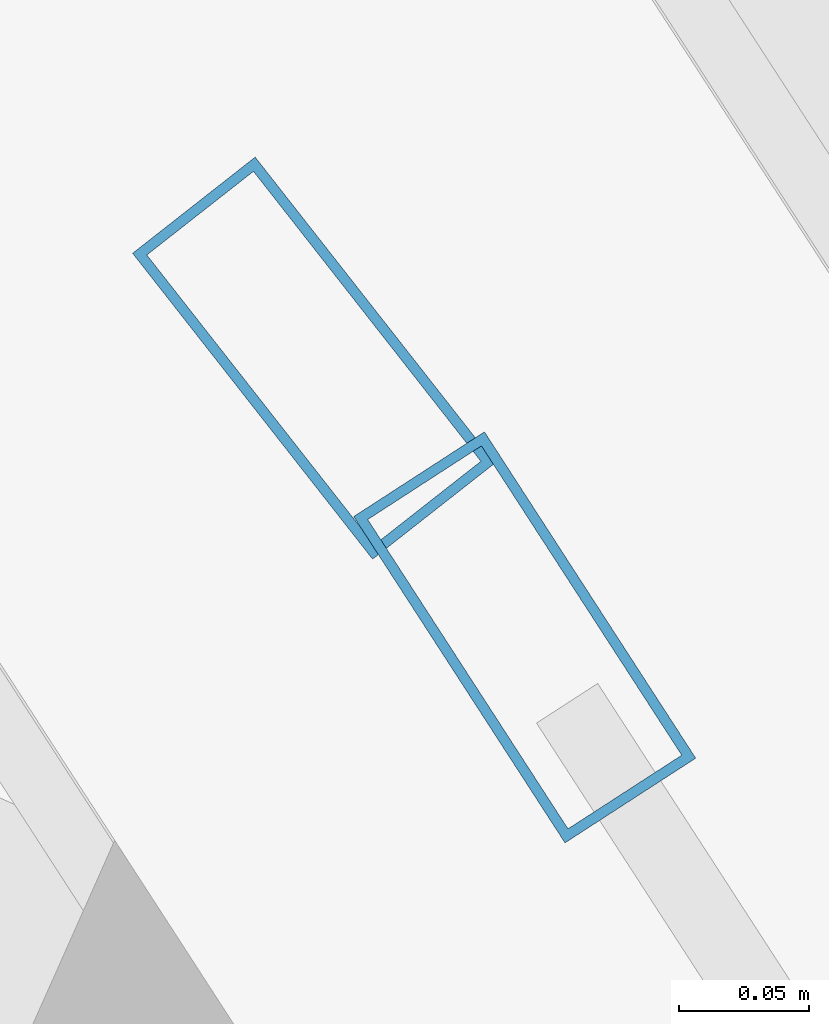
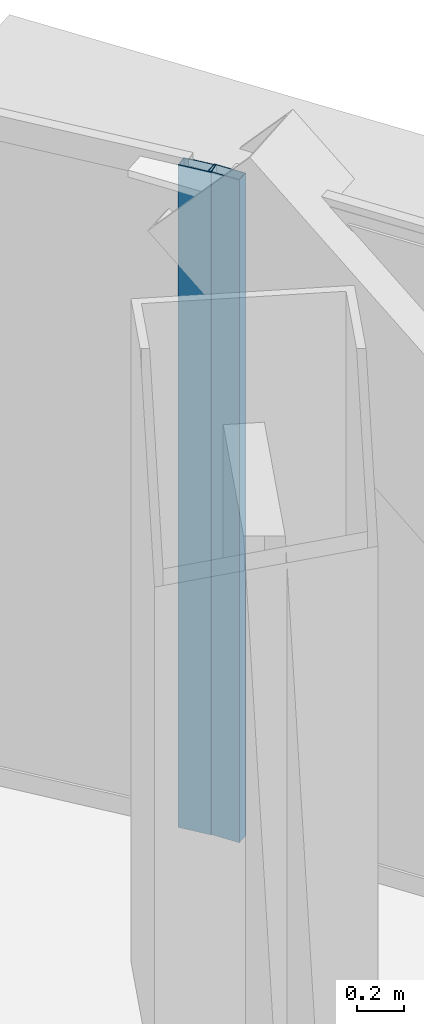
# One storey, part 22 of 41: 2 members, 2 elements without a shape of their own.
"""IFC4 building model written with IfcOpenShell, lengths in metres."""

import ifcopenshell
import ifcopenshell.guid

model = None  # the IFC model being written
_history = None  # IfcOwnerHistory: only IFC2X3 demands one
_inside = {}  # id of a spatial element -> (the spatial element, [elements in it])
_under = {}  # id of a project, library or spatial element -> (it, [spatial elements below it])
_declared = {}  # id of a project -> (the project, [libraries it declares])
_typed = {}  # id of a type object -> (the type object, [elements of that type])
_made_of = {}  # id of a material, layer set ... -> (it, [elements and type objects made of it])


def new_model(schema):
    """Start an empty IFC model of exactly this schema.

    Asked for "IFC4X3", IfcOpenShell would pick the latest addendum, in which some entities
    have other attributes; the version numbers below select the first issue.
    IFC2X3 requires an IfcOwnerHistory on every rooted entity: one is made here for all.
    """
    global model, _history
    if schema == "IFC4X3":
        model = ifcopenshell.file(schema_version=(4, 3, 0, 0))
    else:
        model = ifcopenshell.file(schema=schema)
    _inside.clear()
    _under.clear()
    _declared.clear()
    _typed.clear()
    _made_of.clear()
    _history = None
    if model.schema == "IFC2X3":
        org = make("IfcOrganization", Name="unknown")
        user = make(
            "IfcPersonAndOrganization",
            ThePerson=make("IfcPerson", FamilyName="unknown"),
            TheOrganization=org,
        )
        app = make(
            "IfcApplication",
            ApplicationDeveloper=org,
            Version="unknown",
            ApplicationFullName="unknown",
            ApplicationIdentifier="unknown",
        )
        _history = make(
            "IfcOwnerHistory",
            OwningUser=user,
            OwningApplication=app,
            ChangeAction="ADDED",
            CreationDate=0,
        )
    return model


def make(cls, **values):
    """One entity of the class cls with the attributes given. An attribute that is None is left unset."""
    return model.create_entity(
        cls, **{name: value for name, value in values.items() if value is not None}
    )


def rooted(cls, **values):
    """An entity with a GlobalId (a new one), such as an element, a storey or a relation."""
    return make(cls, GlobalId=ifcopenshell.guid.new(), OwnerHistory=_history, **values)


def si_unit(unit_type, name, prefix=None):
    """IfcSIUnit, for example si_unit("LENGTHUNIT", "METRE", prefix="MILLI")."""
    return make("IfcSIUnit", UnitType=unit_type, Prefix=prefix, Name=name)


def assignment(units):
    """IfcUnitAssignment: the units of a project."""
    return None if units is None else make("IfcUnitAssignment", Units=units)


def point(xyz):
    """IfcCartesianPoint."""
    return None if xyz is None else make("IfcCartesianPoint", Coordinates=xyz)


def direction(xyz):
    """IfcDirection."""
    return None if xyz is None else make("IfcDirection", DirectionRatios=xyz)


def frame(location, z_axis=None, x_axis=None):
    """IfcAxis2Placement3D, a coordinate frame: its origin and axes. An axis left out is left unset."""
    return make(
        "IfcAxis2Placement3D",
        Location=point(location),
        Axis=direction(z_axis),
        RefDirection=direction(x_axis),
    )


def frame_2d(location, x_axis=None):
    """IfcAxis2Placement2D, a coordinate frame in the plane: its origin and x axis."""
    return make(
        "IfcAxis2Placement2D", Location=point(location), RefDirection=direction(x_axis)
    )


def origin():
    """The frame at (0, 0, 0) with its axes left unset."""
    return frame((0.0, 0.0, 0.0))


def origin_2d():
    """The frame at (0, 0) in the plane with its x axis left unset."""
    return frame_2d((0.0, 0.0))


def place(relative_to, where):
    """IfcLocalPlacement: puts the frame where relative to a parent placement (None: the world)."""
    return make(
        "IfcLocalPlacement", PlacementRelTo=relative_to, RelativePlacement=where
    )


def context(
    kind, dimensions, precision=None, world=None, true_north=None, identifier=None
):
    """IfcGeometricRepresentationContext, for example the 3D "Model" context."""
    return make(
        "IfcGeometricRepresentationContext",
        ContextIdentifier=identifier,
        ContextType=kind,
        CoordinateSpaceDimension=dimensions,
        Precision=precision,
        WorldCoordinateSystem=world,
        TrueNorth=true_north,
    )


def subcontext(parent, identifier, kind, view, scale=None):
    """IfcGeometricRepresentationSubContext, for example "Body" below "Model"."""
    return make(
        "IfcGeometricRepresentationSubContext",
        ContextIdentifier=identifier,
        ContextType=kind,
        ParentContext=parent,
        TargetScale=scale,
        TargetView=view,
    )


def project(units=None, contexts=None):
    """IfcProject with its units and contexts."""
    return rooted(
        "IfcProject",
        Name="project",
        RepresentationContexts=contexts,
        UnitsInContext=assignment(units),
    )


def spatial(cls, under=None, at=None, **own):
    """A site, building, storey or space (cls), placed at a placement, below another one or the project."""
    s = rooted(cls, ObjectPlacement=at, **own)
    if under is not None:
        _under.setdefault(under.id(), (under, []))[1].append(s)
    return s


def profile(cls, at=None, kind="AREA", **sizes):
    """A parametric profile (cls). Its sizes go by their IFC names, for example OverallWidth=200.0."""
    return make(cls, ProfileType=kind, Position=at, **sizes)


def hollow_rectangle(**sizes):
    """IfcRectangleHollowProfileDef."""
    return profile("IfcRectangleHollowProfileDef", **sizes)


def extrude(swept, where, along, depth):
    """IfcExtrudedAreaSolid: the profile swept, set in the frame where, extruded along a direction by depth."""
    return make(
        "IfcExtrudedAreaSolid",
        SweptArea=swept,
        Position=where,
        ExtrudedDirection=direction(along),
        Depth=depth,
    )


def shape(context_of_items, identifier, shape_type, items):
    """IfcShapeRepresentation: the items that make up one representation, for example the "Body"."""
    return make(
        "IfcShapeRepresentation",
        ContextOfItems=context_of_items,
        RepresentationIdentifier=identifier,
        RepresentationType=shape_type,
        Items=items,
    )


def source(mapping_origin, context_of_items, identifier, shape_type, items):
    """IfcRepresentationMap: a shape defined once, which mapped items show again and again."""
    return make(
        "IfcRepresentationMap",
        MappingOrigin=mapping_origin,
        MappedRepresentation=shape(context_of_items, identifier, shape_type, items),
    )


def transform(
    local_origin,
    x_axis=None,
    y_axis=None,
    z_axis=None,
    scale=None,
    scale2=None,
    scale3=None,
    uniform=True,
):
    """IfcCartesianTransformationOperator3D, or its non-uniform kind. x_axis, y_axis, z_axis: its Axis1, 2, 3."""
    if uniform:
        return make(
            "IfcCartesianTransformationOperator3D",
            Axis1=direction(x_axis),
            Axis2=direction(y_axis),
            LocalOrigin=point(local_origin),
            Scale=scale,
            Axis3=direction(z_axis),
        )
    return make(
        "IfcCartesianTransformationOperator3DnonUniform",
        Axis1=direction(x_axis),
        Axis2=direction(y_axis),
        LocalOrigin=point(local_origin),
        Scale=scale,
        Axis3=direction(z_axis),
        Scale2=scale2,
        Scale3=scale3,
    )


def mapped(mapping_source, mapping_target):
    """IfcMappedItem: shows the shape of a source again, moved by a transform."""
    return make(
        "IfcMappedItem", MappingSource=mapping_source, MappingTarget=mapping_target
    )


def material(Name=None, Category=None):
    """IfcMaterial."""
    return make("IfcMaterial", Name=Name, Category=Category)


def layer(
    of_material, thickness, ventilated=None, Name=None, Category=None, Priority=None
):
    """IfcMaterialLayer: one layer of a wall or slab, of a material (None: an air gap)."""
    return make(
        "IfcMaterialLayer",
        Material=of_material,
        LayerThickness=thickness,
        IsVentilated=ventilated,
        Name=Name,
        Category=Category,
        Priority=Priority,
    )


def layer_set(layers, Name=None):
    """IfcMaterialLayerSet."""
    return make("IfcMaterialLayerSet", MaterialLayers=layers, LayerSetName=Name)


def material_profile(
    of_material, cross_section, Name=None, Category=None, Priority=None
):
    """IfcMaterialProfile: a cross section and its material."""
    return make(
        "IfcMaterialProfile",
        Name=Name,
        Material=of_material,
        Profile=cross_section,
        Priority=Priority,
        Category=Category,
    )


def profile_set(profiles, Name=None, composite=None):
    """IfcMaterialProfileSet."""
    return make(
        "IfcMaterialProfileSet",
        Name=Name,
        MaterialProfiles=profiles,
        CompositeProfile=composite,
    )


def made_of(thing, what):
    """Note that an element or type object is made of a material, layer set ...; save() writes the relation."""
    if what is not None:
        _made_of.setdefault(what.id(), (what, []))[1].append(thing)
    return thing


def type_object(cls, material=None, **own):
    """A type object (cls), such as IfcWallType, which elements share."""
    return made_of(rooted(cls, **own), material)


def element(
    cls,
    number,
    at=None,
    inside=None,
    cuts=None,
    type_object=None,
    material=None,
    context=None,
    identifier="Body",
    shape_type=None,
    held_by="IfcProductDefinitionShape",
    body=None,
    shapes=None,
    **own,
):
    """One element of the class cls, such as IfcWall. Its Tag is "e" and its number.

    at: its placement. inside: the storey or other place that contains it. cuts: it is an
    opening in that element (IfcRelVoidsElement). A single representation is given by context,
    identifier, shape_type and body (its items); several are given by shapes. held_by: the class
    of the entity that holds the representations. save() writes the other relations.
    """
    e = rooted(cls, Tag="e%d" % number, ObjectPlacement=at, **own)
    if body is not None:
        shapes = [shape(context, identifier, shape_type, body)]
    if shapes is not None:
        e.Representation = make(held_by, Representations=shapes)
    if inside is not None:
        _inside.setdefault(inside.id(), (inside, []))[1].append(e)
    if cuts is not None:
        rooted(
            "IfcRelVoidsElement", RelatingBuildingElement=cuts, RelatedOpeningElement=e
        )
    if type_object is not None:
        _typed.setdefault(type_object.id(), (type_object, []))[1].append(e)
    return made_of(e, material)


def aggregate(whole, parts):
    """IfcRelAggregates: a whole, such as a stair, and the parts it consists of."""
    return rooted("IfcRelAggregates", RelatingObject=whole, RelatedObjects=parts)


def save(model, path):
    """Write the relations noted so far, then the file.

    IfcRelAggregates (storeys below a building ...), IfcRelContainedInSpatialStructure (elements
    in a storey), IfcRelDefinesByType, IfcRelAssociatesMaterial and IfcRelDeclares: one each for
    every whole, place, type object, material and project.
    """
    for whole, parts in _under.values():
        aggregate(whole, parts)
    for where, things in _inside.values():
        rooted(
            "IfcRelContainedInSpatialStructure",
            RelatedElements=things,
            RelatingStructure=where,
        )
    for kind, things in _typed.values():
        rooted("IfcRelDefinesByType", RelatedObjects=things, RelatingType=kind)
    for what, things in _made_of.values():
        rooted("IfcRelAssociatesMaterial", RelatedObjects=things, RelatingMaterial=what)
    for by, libraries in _declared.values():
        rooted("IfcRelDeclares", RelatingContext=by, RelatedDefinitions=libraries)
    model.write(path)


model = new_model("IFC4")

# Units and contexts
model_context = context("Model", 3, precision=1e-05, world=origin(), true_north=direction((0.0, 1.0)))
body_context = subcontext(model_context, "Body", "Model", "MODEL_VIEW")
ifc_project = project(units=[si_unit("LENGTHUNIT", "METRE"), si_unit("AREAUNIT", "SQUARE_METRE"), si_unit("VOLUMEUNIT", "CUBIC_METRE"), si_unit("PLANEANGLEUNIT", "RADIAN"), si_unit("MASSUNIT", "GRAM", prefix="KILO"), si_unit("THERMODYNAMICTEMPERATUREUNIT", "KELVIN"), si_unit("POWERUNIT", "WATT")], contexts=[model_context])

# Site, building, storey
site_placement = place(None, origin())
site = spatial("IfcSite", under=ifc_project, at=site_placement, CompositionType="ELEMENT")
building_placement = place(site_placement, origin())
building = spatial("IfcBuilding", under=site, at=building_placement, Name="Yunzhuo Pagoda Commons", CompositionType="ELEMENT")
storey_placement = place(building_placement, frame((0.0, 0.0, 155.590087890625)))
storey = spatial("IfcBuildingStorey", under=building, at=storey_placement, Name="L39", CompositionType="ELEMENT", Elevation=155.590087890625)

# Curtain wall, member
ifc_material = material(Name="Anodized aluminium 6063-T6", Category="aluminium")
ifc_layer = layer(ifc_material, 0.14990234375)
ifc_layer_set = layer_set([ifc_layer], Name="Anodized aluminium 6063-T6")
curtain_wall_type = type_object("IfcCurtainWallType", Name="CW-MID Mid-Zone Ribbon Curtain Wall", PredefinedType="NOTDEFINED", material=ifc_layer_set)
curtain_wall_1_placement = place(storey_placement, origin())
curtain_wall_1 = element("IfcCurtainWall", 1, at=curtain_wall_1_placement, inside=storey, type_object=curtain_wall_type, Name="L39 curtain wall CW-L39-F2B4", PredefinedType="NOTDEFINED")
ifc_material_profile = material_profile(ifc_material, hollow_rectangle(XDim=0.06005859375, YDim=0.14990234375, WallThickness=0.00390625, at=origin_2d()), Name="Anodized aluminium 6063-T6")
ifc_profile_set = profile_set([ifc_material_profile], Name="Anodized aluminium 6063-T6")
member_type = type_object("IfcMemberType", Name="CW-MID-M Mullion RHS 150x60x4", PredefinedType="MULLION", material=ifc_profile_set)
shared_shape = source(origin(), body_context, "Body", "SweptSolid", [
    extrude(hollow_rectangle(XDim=0.06005859375, YDim=0.14990234375, WallThickness=0.00390625, at=origin_2d()), origin(), (0.0, 0.0, 1.0), 3.419921875),
])
member_1_placement = place(storey_placement, frame((63.9833984375, 69.53759765625, 0.0), z_axis=(0.0, 0.0, 1.0), x_axis=(-0.839392571637, -0.543525630197, 0.0)))
member_1 = element("IfcMember", 2, at=member_1_placement, type_object=member_type, Name="CW mullion 2", PredefinedType="MULLION", context=body_context, shape_type="MappedRepresentation", body=[
    mapped(shared_shape, transform((0.0, 0.0, 0.0), scale=1.0)),
])
aggregate(curtain_wall_1, [member_1])

curtain_wall_2_placement = place(storey_placement, origin())
curtain_wall_2 = element("IfcCurtainWall", 3, at=curtain_wall_2_placement, inside=storey, type_object=curtain_wall_type, Name="L39 curtain wall CW-L39-F2B5", PredefinedType="NOTDEFINED")
member_2_placement = place(storey_placement, frame((63.902099609375, 69.645263671875, 0.0), z_axis=(0.0, 0.0, 1.0), x_axis=(-0.786759259697, -0.61725996734, 0.0)))
member_2 = element("IfcMember", 4, at=member_2_placement, type_object=member_type, Name="CW mullion 1", PredefinedType="MULLION", context=body_context, shape_type="MappedRepresentation", body=[
    mapped(shared_shape, transform((0.0, 0.0, 0.0), scale=1.0)),
])
aggregate(curtain_wall_2, [member_2])

save(model, "model.ifc")
